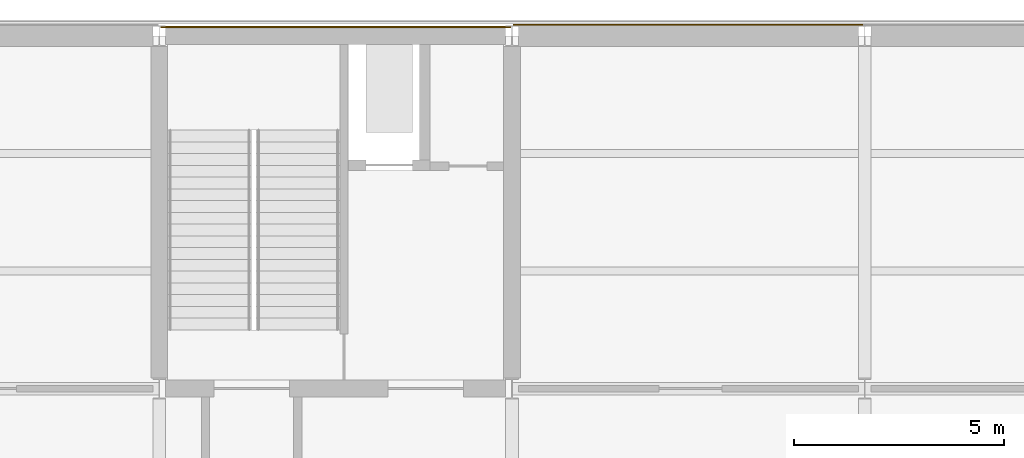
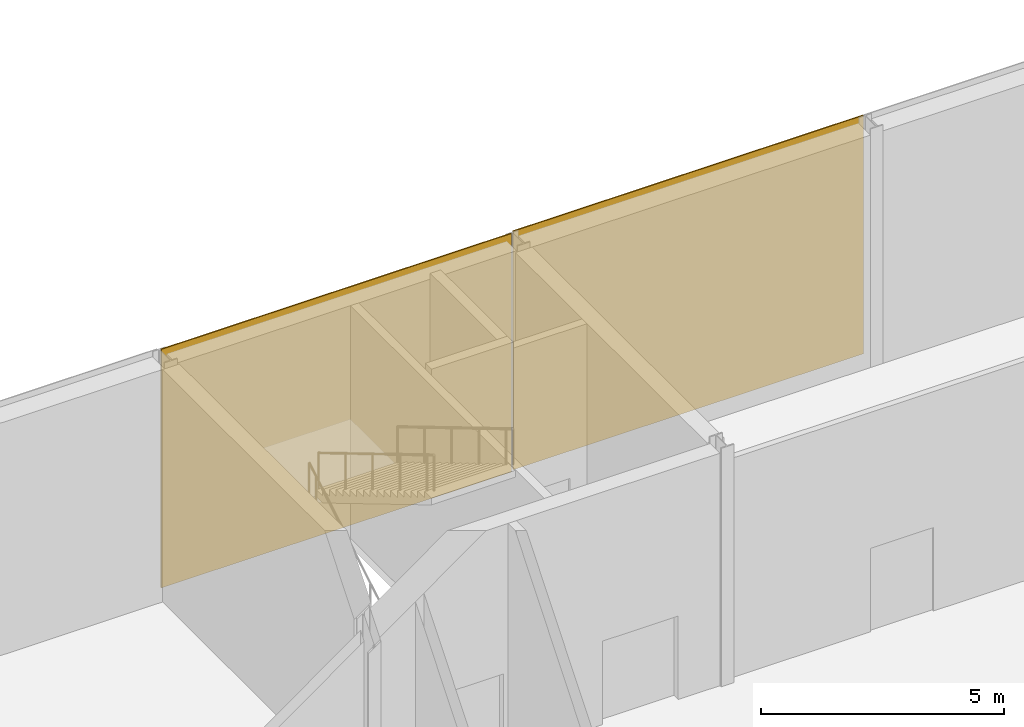
# One storey, part 46 of 55: 2 coverings.
"""IFC4 building model written with IfcOpenShell, lengths in metres."""

import ifcopenshell
import ifcopenshell.guid

model = None  # the IFC model being written
_history = None  # IfcOwnerHistory: only IFC2X3 demands one
_inside = {}  # id of a spatial element -> (the spatial element, [elements in it])
_under = {}  # id of a project, library or spatial element -> (it, [spatial elements below it])
_declared = {}  # id of a project -> (the project, [libraries it declares])
_typed = {}  # id of a type object -> (the type object, [elements of that type])
_made_of = {}  # id of a material, layer set ... -> (it, [elements and type objects made of it])


def new_model(schema):
    """Start an empty IFC model of exactly this schema.

    Asked for "IFC4X3", IfcOpenShell would pick the latest addendum, in which some entities
    have other attributes; the version numbers below select the first issue.
    IFC2X3 requires an IfcOwnerHistory on every rooted entity: one is made here for all.
    """
    global model, _history
    if schema == "IFC4X3":
        model = ifcopenshell.file(schema_version=(4, 3, 0, 0))
    else:
        model = ifcopenshell.file(schema=schema)
    _inside.clear()
    _under.clear()
    _declared.clear()
    _typed.clear()
    _made_of.clear()
    _history = None
    if model.schema == "IFC2X3":
        org = make("IfcOrganization", Name="unknown")
        user = make(
            "IfcPersonAndOrganization",
            ThePerson=make("IfcPerson", FamilyName="unknown"),
            TheOrganization=org,
        )
        app = make(
            "IfcApplication",
            ApplicationDeveloper=org,
            Version="unknown",
            ApplicationFullName="unknown",
            ApplicationIdentifier="unknown",
        )
        _history = make(
            "IfcOwnerHistory",
            OwningUser=user,
            OwningApplication=app,
            ChangeAction="ADDED",
            CreationDate=0,
        )
    return model


def make(cls, **values):
    """One entity of the class cls with the attributes given. An attribute that is None is left unset."""
    return model.create_entity(
        cls, **{name: value for name, value in values.items() if value is not None}
    )


def rooted(cls, **values):
    """An entity with a GlobalId (a new one), such as an element, a storey or a relation."""
    return make(cls, GlobalId=ifcopenshell.guid.new(), OwnerHistory=_history, **values)


def si_unit(unit_type, name, prefix=None):
    """IfcSIUnit, for example si_unit("LENGTHUNIT", "METRE", prefix="MILLI")."""
    return make("IfcSIUnit", UnitType=unit_type, Prefix=prefix, Name=name)


def assignment(units):
    """IfcUnitAssignment: the units of a project."""
    return None if units is None else make("IfcUnitAssignment", Units=units)


def point(xyz):
    """IfcCartesianPoint."""
    return None if xyz is None else make("IfcCartesianPoint", Coordinates=xyz)


def direction(xyz):
    """IfcDirection."""
    return None if xyz is None else make("IfcDirection", DirectionRatios=xyz)


def frame(location, z_axis=None, x_axis=None):
    """IfcAxis2Placement3D, a coordinate frame: its origin and axes. An axis left out is left unset."""
    return make(
        "IfcAxis2Placement3D",
        Location=point(location),
        Axis=direction(z_axis),
        RefDirection=direction(x_axis),
    )


def frame_2d(location, x_axis=None):
    """IfcAxis2Placement2D, a coordinate frame in the plane: its origin and x axis."""
    return make(
        "IfcAxis2Placement2D", Location=point(location), RefDirection=direction(x_axis)
    )


def origin():
    """The frame at (0, 0, 0) with its axes left unset."""
    return frame((0.0, 0.0, 0.0))


def origin_2d():
    """The frame at (0, 0) in the plane with its x axis left unset."""
    return frame_2d((0.0, 0.0))


def place(relative_to, where):
    """IfcLocalPlacement: puts the frame where relative to a parent placement (None: the world)."""
    return make(
        "IfcLocalPlacement", PlacementRelTo=relative_to, RelativePlacement=where
    )


def context(
    kind, dimensions, precision=None, world=None, true_north=None, identifier=None
):
    """IfcGeometricRepresentationContext, for example the 3D "Model" context."""
    return make(
        "IfcGeometricRepresentationContext",
        ContextIdentifier=identifier,
        ContextType=kind,
        CoordinateSpaceDimension=dimensions,
        Precision=precision,
        WorldCoordinateSystem=world,
        TrueNorth=true_north,
    )


def subcontext(parent, identifier, kind, view, scale=None):
    """IfcGeometricRepresentationSubContext, for example "Body" below "Model"."""
    return make(
        "IfcGeometricRepresentationSubContext",
        ContextIdentifier=identifier,
        ContextType=kind,
        ParentContext=parent,
        TargetScale=scale,
        TargetView=view,
    )


def project(units=None, contexts=None):
    """IfcProject with its units and contexts."""
    return rooted(
        "IfcProject",
        Name="project",
        RepresentationContexts=contexts,
        UnitsInContext=assignment(units),
    )


def spatial(cls, under=None, at=None, **own):
    """A site, building, storey or space (cls), placed at a placement, below another one or the project."""
    s = rooted(cls, ObjectPlacement=at, **own)
    if under is not None:
        _under.setdefault(under.id(), (under, []))[1].append(s)
    return s


def profile(cls, at=None, kind="AREA", **sizes):
    """A parametric profile (cls). Its sizes go by their IFC names, for example OverallWidth=200.0."""
    return make(cls, ProfileType=kind, Position=at, **sizes)


def rectangle(**sizes):
    """IfcRectangleProfileDef."""
    return profile("IfcRectangleProfileDef", **sizes)


def extrude(swept, where, along, depth):
    """IfcExtrudedAreaSolid: the profile swept, set in the frame where, extruded along a direction by depth."""
    return make(
        "IfcExtrudedAreaSolid",
        SweptArea=swept,
        Position=where,
        ExtrudedDirection=direction(along),
        Depth=depth,
    )


def shape(context_of_items, identifier, shape_type, items):
    """IfcShapeRepresentation: the items that make up one representation, for example the "Body"."""
    return make(
        "IfcShapeRepresentation",
        ContextOfItems=context_of_items,
        RepresentationIdentifier=identifier,
        RepresentationType=shape_type,
        Items=items,
    )


def material(Name=None, Category=None):
    """IfcMaterial."""
    return make("IfcMaterial", Name=Name, Category=Category)


def layer(
    of_material, thickness, ventilated=None, Name=None, Category=None, Priority=None
):
    """IfcMaterialLayer: one layer of a wall or slab, of a material (None: an air gap)."""
    return make(
        "IfcMaterialLayer",
        Material=of_material,
        LayerThickness=thickness,
        IsVentilated=ventilated,
        Name=Name,
        Category=Category,
        Priority=Priority,
    )


def layer_set(layers, Name=None):
    """IfcMaterialLayerSet."""
    return make("IfcMaterialLayerSet", MaterialLayers=layers, LayerSetName=Name)


def made_of(thing, what):
    """Note that an element or type object is made of a material, layer set ...; save() writes the relation."""
    if what is not None:
        _made_of.setdefault(what.id(), (what, []))[1].append(thing)
    return thing


def type_object(cls, material=None, **own):
    """A type object (cls), such as IfcWallType, which elements share."""
    return made_of(rooted(cls, **own), material)


def element(
    cls,
    number,
    at=None,
    inside=None,
    cuts=None,
    type_object=None,
    material=None,
    context=None,
    identifier="Body",
    shape_type=None,
    held_by="IfcProductDefinitionShape",
    body=None,
    shapes=None,
    **own,
):
    """One element of the class cls, such as IfcWall. Its Tag is "e" and its number.

    at: its placement. inside: the storey or other place that contains it. cuts: it is an
    opening in that element (IfcRelVoidsElement). A single representation is given by context,
    identifier, shape_type and body (its items); several are given by shapes. held_by: the class
    of the entity that holds the representations. save() writes the other relations.
    """
    e = rooted(cls, Tag="e%d" % number, ObjectPlacement=at, **own)
    if body is not None:
        shapes = [shape(context, identifier, shape_type, body)]
    if shapes is not None:
        e.Representation = make(held_by, Representations=shapes)
    if inside is not None:
        _inside.setdefault(inside.id(), (inside, []))[1].append(e)
    if cuts is not None:
        rooted(
            "IfcRelVoidsElement", RelatingBuildingElement=cuts, RelatedOpeningElement=e
        )
    if type_object is not None:
        _typed.setdefault(type_object.id(), (type_object, []))[1].append(e)
    return made_of(e, material)


def aggregate(whole, parts):
    """IfcRelAggregates: a whole, such as a stair, and the parts it consists of."""
    return rooted("IfcRelAggregates", RelatingObject=whole, RelatedObjects=parts)


def save(model, path):
    """Write the relations noted so far, then the file.

    IfcRelAggregates (storeys below a building ...), IfcRelContainedInSpatialStructure (elements
    in a storey), IfcRelDefinesByType, IfcRelAssociatesMaterial and IfcRelDeclares: one each for
    every whole, place, type object, material and project.
    """
    for whole, parts in _under.values():
        aggregate(whole, parts)
    for where, things in _inside.values():
        rooted(
            "IfcRelContainedInSpatialStructure",
            RelatedElements=things,
            RelatingStructure=where,
        )
    for kind, things in _typed.values():
        rooted("IfcRelDefinesByType", RelatedObjects=things, RelatingType=kind)
    for what, things in _made_of.values():
        rooted("IfcRelAssociatesMaterial", RelatedObjects=things, RelatingMaterial=what)
    for by, libraries in _declared.values():
        rooted("IfcRelDeclares", RelatingContext=by, RelatedDefinitions=libraries)
    model.write(path)


model = new_model("IFC4")

# Units and contexts
model_context = context("Model", 3, precision=1e-05, world=origin(), true_north=direction((0.0, 1.0)))
body_context = subcontext(model_context, "Body", "Model", "MODEL_VIEW")
ifc_project = project(units=[si_unit("LENGTHUNIT", "METRE"), si_unit("AREAUNIT", "SQUARE_METRE"), si_unit("VOLUMEUNIT", "CUBIC_METRE"), si_unit("PLANEANGLEUNIT", "RADIAN"), si_unit("MASSUNIT", "GRAM", prefix="KILO")], contexts=[model_context])

# Site, building, storey
site_placement = place(None, origin())
site = spatial("IfcSite", under=ifc_project, at=site_placement, CompositionType="ELEMENT")
building_placement = place(site_placement, origin())
building = spatial("IfcBuilding", under=site, at=building_placement, Name="Galleria Vessillo Department Store", CompositionType="ELEMENT")
storey_placement = place(building_placement, origin())
storey = spatial("IfcBuildingStorey", under=building, at=storey_placement, Name="L00", CompositionType="ELEMENT", Elevation=0.0)

# Coverings
ifc_material = material(Name="Lime plaster (intonaco) ochre")
ifc_layer = layer(ifc_material, 0.030029296875)
ifc_layer_set = layer_set([ifc_layer], Name="Lime plaster (intonaco) ochre")
covering_type = type_object("IfcCoveringType", Name="Lime plaster render 30 mm", PredefinedType="CLADDING", material=ifc_layer_set)
covering_1_placement = place(storey_placement, frame((37.800048828125, 63.215087890625, 0.0), z_axis=(0.0, 0.0, 1.0), x_axis=(1.0, 0.0, 0.0)))
element("IfcCovering", 1, at=covering_1_placement, inside=storey, type_object=covering_type, Name="Wall cladding S-CW-PC-NM-PARTY-L00", PredefinedType="CLADDING", context=body_context, shape_type="SweptSolid", body=[
    extrude(rectangle(XDim=8.33984375, YDim=0.030029296875, at=origin_2d()), origin(), (0.0, 0.0, 1.0), 6.0),
])
covering_2_placement = place(storey_placement, frame((46.199951171875, 63.264892578125, 0.0), z_axis=(0.0, 0.0, 1.0), x_axis=(1.0, 0.0, 0.0)))
element("IfcCovering", 2, at=covering_2_placement, inside=storey, type_object=covering_type, Name="Wall cladding S-PN-L00-04", PredefinedType="CLADDING", context=body_context, shape_type="SweptSolid", body=[
    extrude(rectangle(XDim=8.340087890625, YDim=0.030029296875, at=origin_2d()), origin(), (0.0, 0.0, 1.0), 6.0),
])

save(model, "model.ifc")
